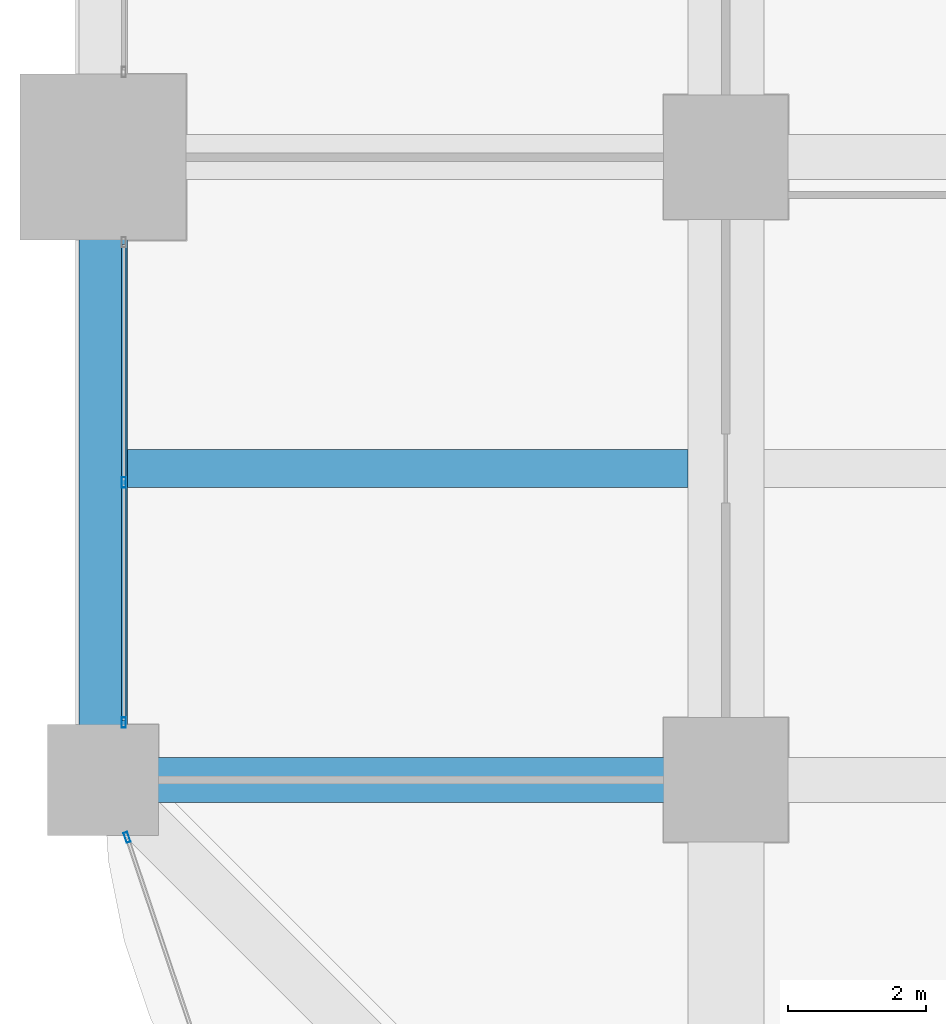
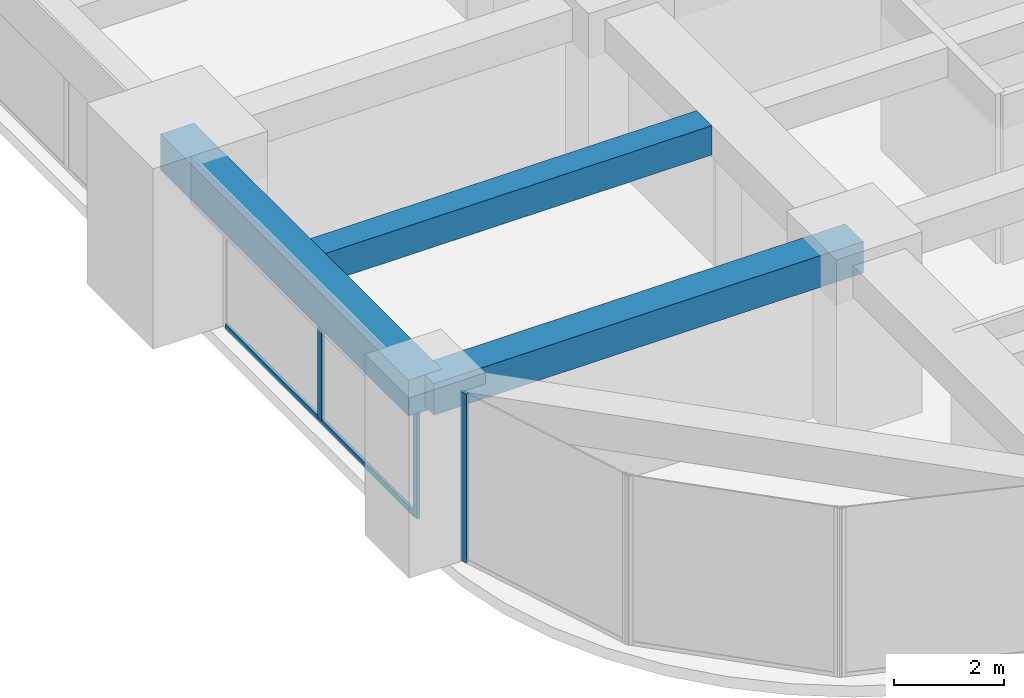
# One storey, part 4 of 40: 4 members, 3 beams, 2 elements without a shape of their own.
"""IFC4 building model written with IfcOpenShell, lengths in metres."""

from ifc_helpers import new_model, si_unit, direction, frame, origin, origin_2d, place, context, subcontext, project, spatial, rectangle, hollow_rectangle, extrude, material, material_profile, profile_set, type_object, element, aggregate, save


model = new_model("IFC4")

# Units and contexts
model_context = context("Model", 3, precision=1e-05, world=origin(), true_north=direction((0.0, 1.0)))
body_context = subcontext(model_context, "Body", "Model", "MODEL_VIEW")
ifc_project = project(units=[si_unit("LENGTHUNIT", "METRE"), si_unit("AREAUNIT", "SQUARE_METRE"), si_unit("VOLUMEUNIT", "CUBIC_METRE"), si_unit("PLANEANGLEUNIT", "RADIAN"), si_unit("MASSUNIT", "GRAM", prefix="KILO")], contexts=[model_context])

# Site, building, storey
site_placement = place(None, origin())
site = spatial("IfcSite", under=ifc_project, at=site_placement, CompositionType="ELEMENT")
building_placement = place(site_placement, origin())
building = spatial("IfcBuilding", under=site, at=building_placement, Name="Zorevar Civic Tower", CompositionType="ELEMENT")
storey_placement = place(building_placement, frame((0.0, 0.0, 129.0)))
storey = spatial("IfcBuildingStorey", under=building, at=storey_placement, Name="L31", CompositionType="ELEMENT", Elevation=129.0)

# Beams
ifc_material_1 = material(Name="Concrete C50/60", Category="concrete")
ifc_material_profile_1 = material_profile(ifc_material_1, rectangle(XDim=0.550048828125, YDim=0.64990234375, at=origin_2d()), Name="RC 550x650")
ifc_profile_set_1 = profile_set([ifc_material_profile_1], Name="Concrete C50/60")
beam_type_1 = type_object("IfcBeamType", Name="Beam RC 550x650", PredefinedType="BEAM", material=ifc_profile_set_1)
beam_1_placement = place(storey_placement, frame((0.35009765625, 13.5, 3.425048828125), z_axis=(1.0, 0.0, 0.0), x_axis=(0.0, 1.0, 0.0)))
element("IfcBeam", 1, at=beam_1_placement, inside=storey, type_object=beam_type_1, Name="Secondary beam L32", PredefinedType="BEAM", context=body_context, shape_type="SweptSolid", body=[
    extrude(rectangle(XDim=0.550048828125, YDim=0.64990234375, at=origin_2d()), origin(), (0.0, 0.0, 1.0), 8.099853515625),
])
ifc_material_2 = material(Name="Concrete C50/60", Category="concrete")
ifc_material_profile_2 = material_profile(ifc_material_2, rectangle(XDim=0.64990234375, YDim=0.699951171875, at=origin_2d()), Name="RC 650x700")
ifc_profile_set_2 = profile_set([ifc_material_profile_2], Name="Concrete C50/60")
beam_type_2 = type_object("IfcBeamType", Name="Beam RC 650x700", PredefinedType="BEAM", material=ifc_profile_set_2)
beam_2_placement = place(storey_placement, frame((0.0, 9.0, 3.39990234375), z_axis=(1.0, 0.0, 0.0), x_axis=(0.0, 1.0, 0.0)))
element("IfcBeam", 2, at=beam_2_placement, inside=storey, type_object=beam_type_2, Name="Girder L32", PredefinedType="BEAM", context=body_context, shape_type="SweptSolid", body=[
    extrude(rectangle(XDim=0.64990234375, YDim=0.699951171875, at=origin_2d()), origin(), (0.0, 0.0, 1.0), 9.0),
])

# Curtain wall, members
ifc_material_3 = material(Name="Dark grey solar-control glass in black aluminium frame", Category="aluminium")
curtain_wall_type = type_object("IfcCurtainWallType", Name="Curtain wall CW3 mid zone", PredefinedType="NOTDEFINED", material=ifc_material_3)
curtain_wall_1_placement = place(storey_placement, origin())
curtain_wall_1 = element("IfcCurtainWall", 3, at=curtain_wall_1_placement, inside=storey, type_object=curtain_wall_type, Name="CW3 L31", PredefinedType="NOTDEFINED")
ifc_material_4 = material(Name="Aluminium, black anodised", Category="aluminium")
ifc_material_profile_3 = material_profile(ifc_material_4, hollow_rectangle(XDim=0.06005859375, YDim=0.14990234375, WallThickness=0.00390625, at=origin_2d()), Name="AL 150x60x4")
ifc_profile_set_3 = profile_set([ifc_material_profile_3], Name="Aluminium, black anodised")
member_type_1 = type_object("IfcMemberType", Name="CW3 mullion AL 150x60x4", PredefinedType="MULLION", material=ifc_profile_set_3)
member_1_placement = place(storey_placement, frame((0.300048828125, 9.830078125, 0.0), z_axis=(0.0, 0.0, 1.0), x_axis=(-1.0, 0.0, 0.0)))
member_1 = element("IfcMember", 4, at=member_1_placement, type_object=member_type_1, Name="CW3 mullion 1", PredefinedType="MULLION", context=body_context, shape_type="SweptSolid", body=[
    extrude(hollow_rectangle(XDim=0.06005859375, YDim=0.14990234375, WallThickness=0.00390625, at=origin_2d()), origin(), (0.0, 0.0, 1.0), 2.949951171875),
])
member_2_placement = place(storey_placement, frame((0.300048828125, 13.300048828125, 0.06005859375), z_axis=(0.0, 0.0, 1.0), x_axis=(-1.0, 0.0, 0.0)))
member_2 = element("IfcMember", 5, at=member_2_placement, type_object=member_type_1, Name="CW3 mullion 2", PredefinedType="MULLION", context=body_context, shape_type="SweptSolid", body=[
    extrude(hollow_rectangle(XDim=0.06005859375, YDim=0.14990234375, WallThickness=0.00390625, at=origin_2d()), origin(), (0.0, 0.0, 1.0), 2.889892578125),
])

# Curtain wall, member
curtain_wall_2_placement = place(storey_placement, origin())
curtain_wall_2 = element("IfcCurtainWall", 6, at=curtain_wall_2_placement, inside=storey, type_object=curtain_wall_type, Name="CW3 L31", PredefinedType="NOTDEFINED")
member_3_placement = place(storey_placement, frame((0.346435546875, 8.171630859375, 0.0), z_axis=(0.0, 0.0, 1.0), x_axis=(0.948227238701, 0.317592669603, 0.0)))
member_3 = element("IfcMember", 7, at=member_3_placement, type_object=member_type_1, Name="CW3 mullion 1", PredefinedType="MULLION", context=body_context, shape_type="SweptSolid", body=[
    extrude(hollow_rectangle(XDim=0.06005859375, YDim=0.14990234375, WallThickness=0.00390625, at=origin_2d()), origin(), (0.0, 0.0, 1.0), 3.75),
])
aggregate(curtain_wall_2, [member_3])

# Member
ifc_material_5 = material(Name="Aluminium, black anodised", Category="aluminium")
ifc_material_profile_4 = material_profile(ifc_material_5, hollow_rectangle(XDim=0.06005859375, YDim=0.1201171875, WallThickness=0.0029296875, at=origin_2d()), Name="AL 120x60x3")
ifc_profile_set_4 = profile_set([ifc_material_profile_4], Name="Aluminium, black anodised")
member_type_2 = type_object("IfcMemberType", Name="CW3 transom AL 120x60x3", PredefinedType="USERDEFINED", material=ifc_profile_set_4)
member_4_placement = place(storey_placement, frame((0.300048828125, 9.860107421875, 0.030029296875), z_axis=(0.0, 1.0, 0.0), x_axis=(-1.0, 0.0, 0.0)))
member_4 = element("IfcMember", 8, at=member_4_placement, type_object=member_type_2, Name="CW3 sill transom", ObjectType="TRANSOM", PredefinedType="USERDEFINED", context=body_context, shape_type="SweptSolid", body=[
    extrude(hollow_rectangle(XDim=0.06005859375, YDim=0.1201171875, WallThickness=0.0029296875, at=origin_2d()), origin(), (0.0, 0.0, 1.0), 6.8798828125),
])

aggregate(curtain_wall_1, [member_1, member_2, member_4])

# Beam
ifc_material_6 = material(Name="Concrete C50/60", Category="concrete")
ifc_material_profile_5 = material_profile(ifc_material_6, rectangle(XDim=0.699951171875, YDim=0.800048828125, at=origin_2d()), Name="RC 700x800")
ifc_profile_set_5 = profile_set([ifc_material_profile_5], Name="Concrete C50/60")
beam_type_3 = type_object("IfcBeamType", Name="Edge beam RC 700x800", PredefinedType="SPANDREL", material=ifc_profile_set_5)
beam_3_placement = place(storey_placement, frame((0.0, 9.0, 3.35009765625), z_axis=(0.0, 1.0, 0.0), x_axis=(-1.0, 0.0, 0.0)))
element("IfcBeam", 9, at=beam_3_placement, inside=storey, type_object=beam_type_3, Name="Edge beam L32", PredefinedType="SPANDREL", context=body_context, shape_type="SweptSolid", body=[
    extrude(rectangle(XDim=0.699951171875, YDim=0.800048828125, at=origin_2d()), origin(), (0.0, 0.0, 1.0), 9.0),
])

save(model, "model.ifc")
